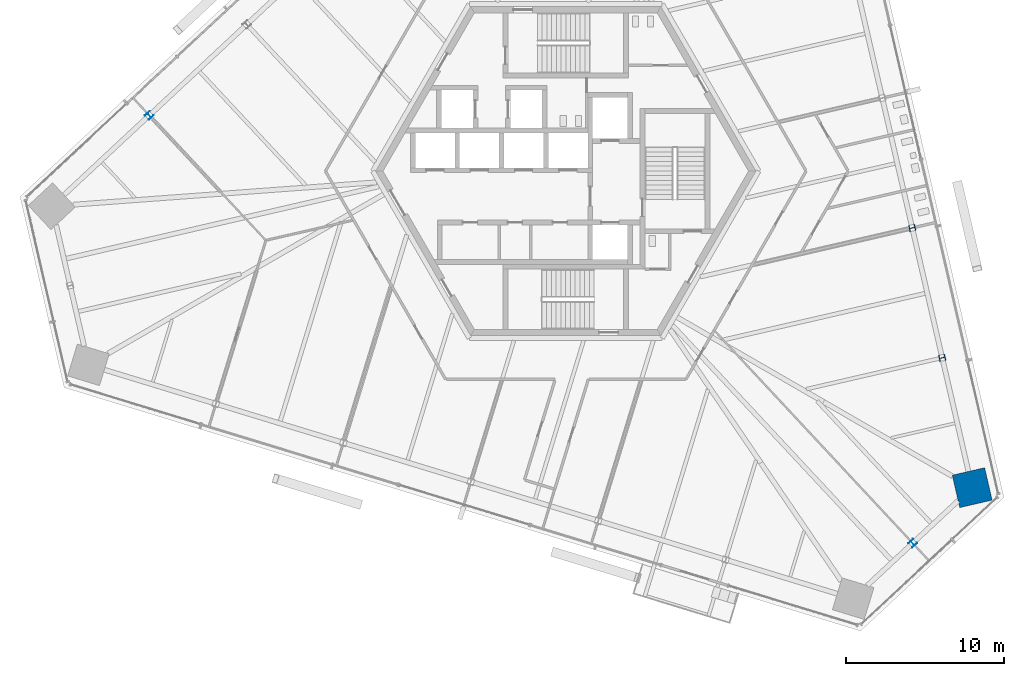
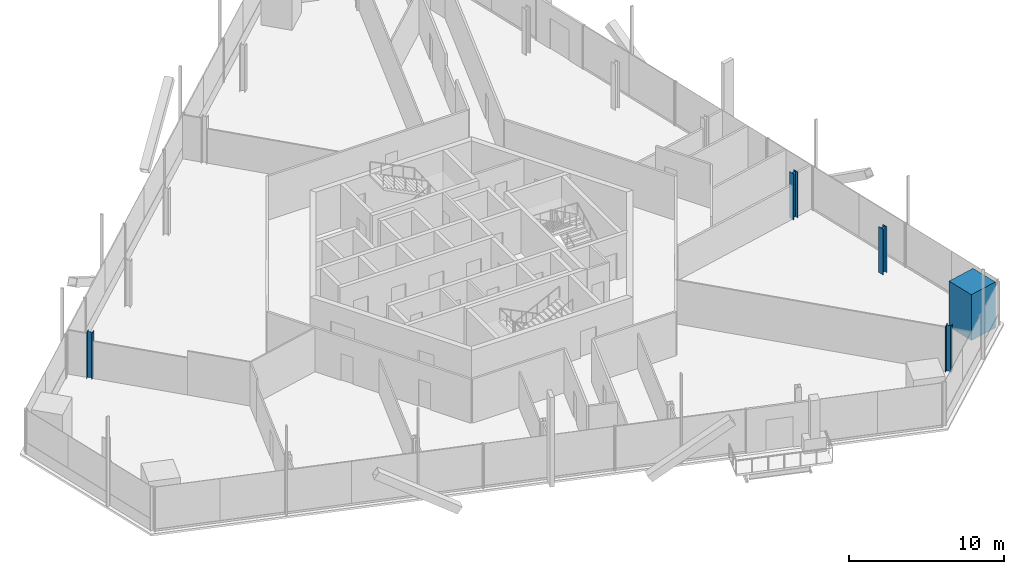
# One storey, part 2 of 21: 5 columns.
"""IFC4 building model written with IfcOpenShell, lengths in metres."""

from ifc_helpers import new_model, si_unit, direction, frame, origin, origin_2d, place, context, subcontext, project, spatial, rectangle, i_section, extrude, source, transform, mapped, material, material_profile, profile_set, type_object, element, save


model = new_model("IFC4")

# Units and contexts
model_context = context("Model", 3, precision=1e-05, world=origin(), true_north=direction((0.0, 1.0)))
body_context = subcontext(model_context, "Body", "Model", "MODEL_VIEW")
ifc_project = project(units=[si_unit("LENGTHUNIT", "METRE"), si_unit("AREAUNIT", "SQUARE_METRE"), si_unit("VOLUMEUNIT", "CUBIC_METRE"), si_unit("PLANEANGLEUNIT", "RADIAN"), si_unit("MASSUNIT", "GRAM", prefix="KILO")], contexts=[model_context])

# Site, building, storey
site_placement = place(None, origin())
site = spatial("IfcSite", under=ifc_project, at=site_placement, CompositionType="ELEMENT")
building_placement = place(site_placement, origin())
building = spatial("IfcBuilding", under=site, at=building_placement, Name="Triune Harvest Tower", CompositionType="ELEMENT")
storey_placement = place(building_placement, frame((0.0, 0.0, 119.89990234375)))
storey = spatial("IfcBuildingStorey", under=building, at=storey_placement, Name="L30", CompositionType="ELEMENT", Elevation=119.89990234375)

# Columns
ifc_material_1 = material(Name="Concrete 70 MPa", Category="concrete")
ifc_material_profile_1 = material_profile(ifc_material_1, rectangle(XDim=2.10009765625, YDim=2.10009765625, at=origin_2d()), Name="Composite 2100x2100")
ifc_profile_set_1 = profile_set([ifc_material_profile_1], Name="Concrete 70 MPa")
column_type_1 = type_object("IfcColumnType", Name="MC-3 Mega column Composite 2100x2100", PredefinedType="COLUMN", material=ifc_profile_set_1)
shared_shape_1 = source(origin(), body_context, "Body", "SweptSolid", [
    extrude(rectangle(XDim=2.10009765625, YDim=2.10009765625, at=origin_2d()), origin(), (0.0, 0.0, 1.0), 3.60009765625),
])
column_placement = place(storey_placement, frame((25.65869140625, -19.983642578125, 0.0), z_axis=(0.0, 0.0, 1.0), x_axis=(-0.22495275494, 0.97436967217, 0.0)))
element("IfcColumn", 1, at=column_placement, inside=storey, type_object=column_type_1, Name="col/L30/M0", PredefinedType="COLUMN", context=body_context, shape_type="MappedRepresentation", body=[
    mapped(shared_shape_1, transform((0.0, 0.0, 0.0), scale=1.0)),
])
ifc_material_2 = material(Name="Steel ASTM A992 Gr 50", Category="steel")
ifc_material_profile_2 = material_profile(ifc_material_2, i_section(OverallWidth=0.396240234375, OverallDepth=0.381103515625, WebThickness=0.01904296875, FlangeThickness=0.0302734375, at=origin_2d()), Name="W14x159")
ifc_profile_set_2 = profile_set([ifc_material_profile_2], Name="Steel ASTM A992 Gr 50")
column_type_2 = type_object("IfcColumnType", Name="PC-3 Perimeter column W14x159", PredefinedType="COLUMN", material=ifc_profile_set_2)
shared_shape_2 = source(origin(), body_context, "Body", "SweptSolid", [
    extrude(i_section(OverallWidth=0.396240234375, OverallDepth=0.381103515625, WebThickness=0.01904296875, FlangeThickness=0.0302734375, at=origin_2d()), origin(), (0.0, 0.0, 1.0), 3.60009765625),
])
for number, where, z_axis, x_axis, name in (
    (2, (23.765869140625, -11.784912109375, 0.0), (0.0, 0.0, 1.0), (-0.22495275494, 0.97436967217, 0.0), "col/L30/P1"),
    (3, (21.872802734375, -3.5859375, 0.0), (0.0, 0.0, 1.0), (-0.22495275494, 0.97436967217, 0.0), "col/L30/P2"),
    (4, (-26.29248046875, 3.51953125, 0.0), (0.0, 0.0, 1.0), (-0.73135489193, -0.681997083608, 0.0), "col/L30/P13"),
    (5, (21.90185546875, -23.48681640625, 0.0), (0.0, 0.0, 1.0), (0.731353701619, 0.681998360062, 0.0), "col/L30/P23"),
):
    element("IfcColumn", number, at=place(storey_placement, frame(where, z_axis=z_axis, x_axis=x_axis)), inside=storey, type_object=column_type_2, Name=name, PredefinedType="COLUMN", context=body_context, shape_type="MappedRepresentation", body=[
        mapped(shared_shape_2, transform((0.0, 0.0, 0.0), scale=1.0)),
    ])

save(model, "model.ifc")
